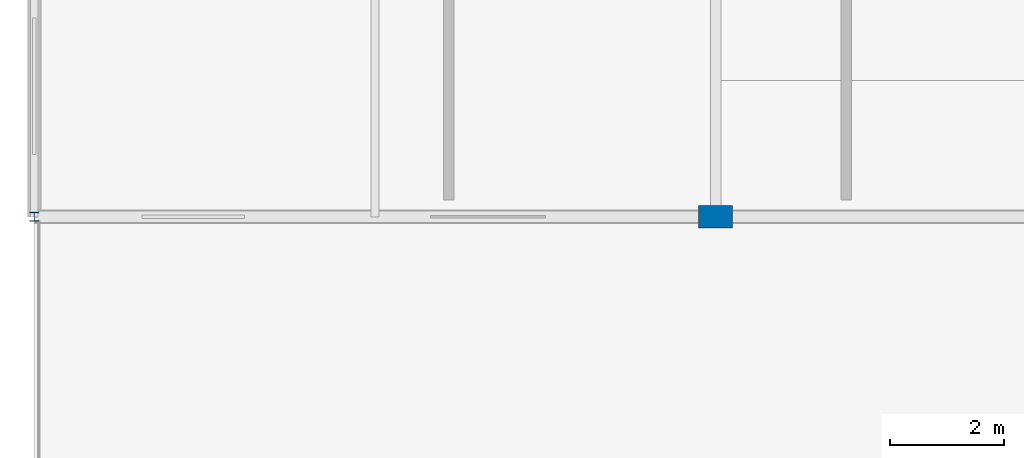
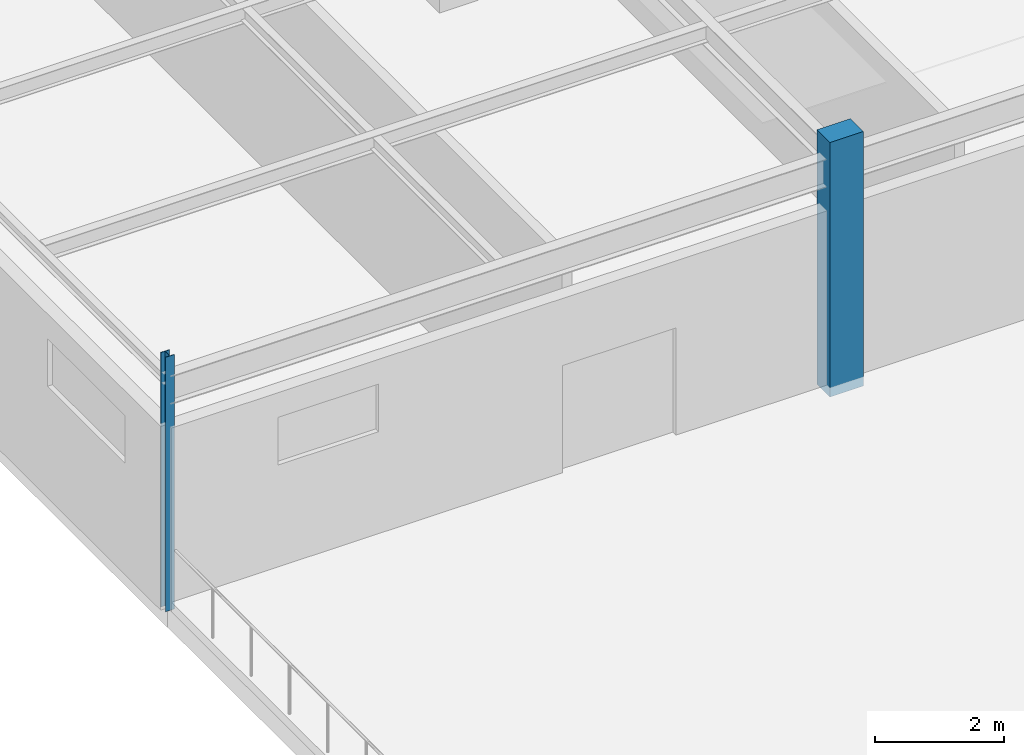
# One storey, part 2 of 186: 2 columns.
"""IFC4 building model written with IfcOpenShell, lengths in metres."""

from ifc_helpers import new_model, si_unit, direction, frame, origin, origin_2d, place, context, subcontext, project, spatial, rectangle, i_section, extrude, material, material_profile, profile_set, type_object, element, save


model = new_model("IFC4")

# Units and contexts
model_context = context("Model", 3, precision=1e-05, world=origin(), true_north=direction((0.0, 1.0)))
body_context = subcontext(model_context, "Body", "Model", "MODEL_VIEW")
ifc_project = project(units=[si_unit("LENGTHUNIT", "METRE"), si_unit("AREAUNIT", "SQUARE_METRE"), si_unit("VOLUMEUNIT", "CUBIC_METRE"), si_unit("PLANEANGLEUNIT", "RADIAN"), si_unit("MASSUNIT", "GRAM", prefix="KILO")], contexts=[model_context])

# Site, building, storey
site_placement = place(None, origin())
site = spatial("IfcSite", under=ifc_project, at=site_placement, CompositionType="ELEMENT")
building_placement = place(site_placement, origin())
building = spatial("IfcBuilding", under=site, at=building_placement, Name="Tarnwether General Hospital", CompositionType="ELEMENT")
storey_placement = place(building_placement, frame((0.0, 0.0, 9.60009765625)))
storey = spatial("IfcBuildingStorey", under=building, at=storey_placement, Name="L02", CompositionType="ELEMENT", Elevation=9.60009765625)

# Columns
ifc_material_1 = material(Name="Concrete 50 MPa", Category="concrete")
ifc_material_profile_1 = material_profile(ifc_material_1, rectangle(XDim=0.39990234375, YDim=0.60009765625, at=origin_2d()), Name="RC-PIL-400x600")
ifc_profile_set_1 = profile_set([ifc_material_profile_1], Name="Concrete 50 MPa")
column_type_1 = type_object("IfcColumnType", Name="COL-21", PredefinedType="PILASTER", material=ifc_profile_set_1)
column_1_placement = place(storey_placement, frame((12.0, 57.60009765625, 0.0), z_axis=(0.0, 0.0, 1.0), x_axis=(0.0, 1.0, 0.0)))
element("IfcColumn", 1, at=column_1_placement, inside=storey, type_object=column_type_1, Name="Column COLG-L02-1200_5760", PredefinedType="PILASTER", context=body_context, shape_type="SweptSolid", body=[
    extrude(rectangle(XDim=0.39990234375, YDim=0.60009765625, at=origin_2d()), origin(), (0.0, 0.0, 1.0), 4.7998046875),
])
ifc_material_2 = material(Name="Steel Grade 350 (350 MPa)", Category="steel")
ifc_material_profile_2 = material_profile(ifc_material_2, i_section(OverallWidth=0.153076171875, OverallDepth=0.157958984375, WebThickness=0.006591796875, FlangeThickness=0.009521484375, at=origin_2d()), Name="150UC30.0")
ifc_profile_set_2 = profile_set([ifc_material_profile_2], Name="Steel Grade 350 (350 MPa)")
column_type_2 = type_object("IfcColumnType", Name="COL-31", PredefinedType="COLUMN", material=ifc_profile_set_2)
column_2_placement = place(storey_placement, frame((0.0, 57.60009765625, 0.0), z_axis=(0.0, 0.0, 1.0), x_axis=(1.0, 0.0, 0.0)))
element("IfcColumn", 2, at=column_2_placement, inside=storey, type_object=column_type_2, Name="Column COLG-L02-0_5760", PredefinedType="COLUMN", context=body_context, shape_type="SweptSolid", body=[
    extrude(i_section(OverallWidth=0.153076171875, OverallDepth=0.157958984375, WebThickness=0.006591796875, FlangeThickness=0.009521484375, at=origin_2d()), origin(), (0.0, 0.0, 1.0), 4.7998046875),
])

save(model, "model.ifc")
